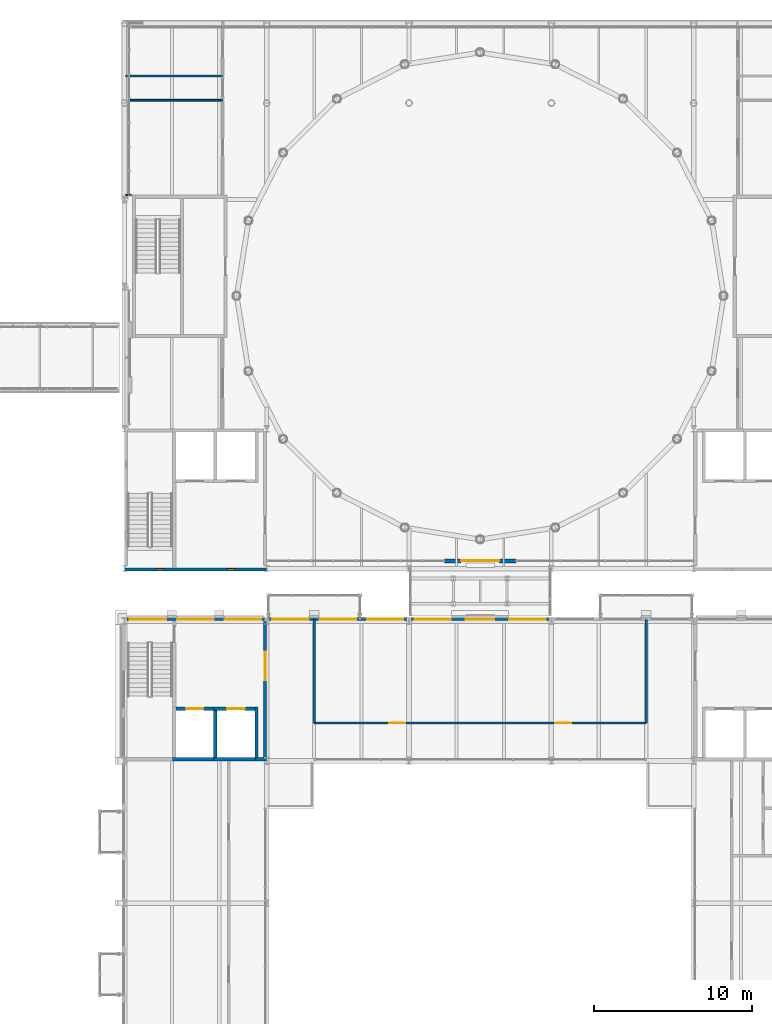
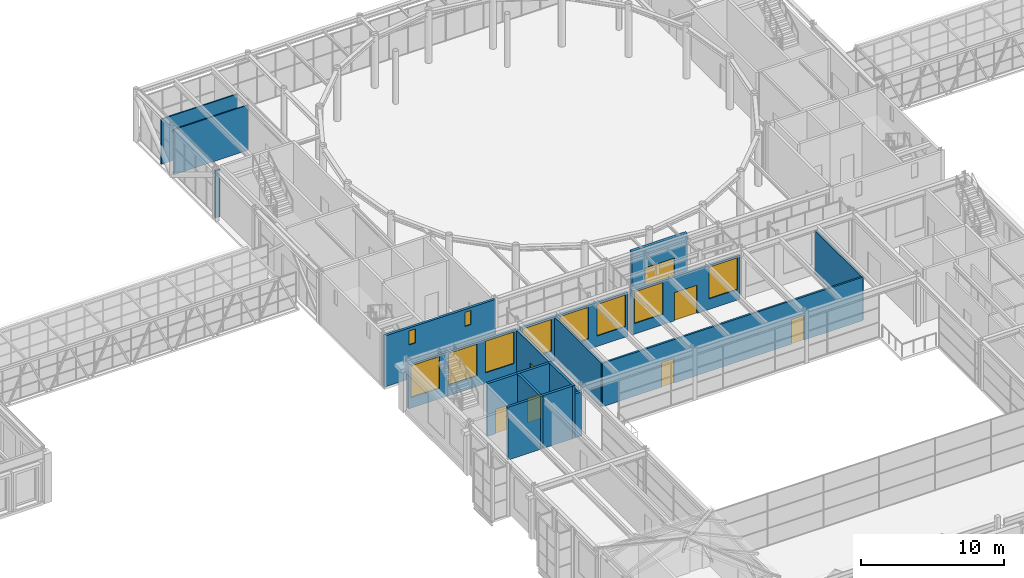
# One storey, part 96 of 149: 19 walls, 10 windows, 7 doors, 17 openings.
"""IFC4 building model written with IfcOpenShell, lengths in metres."""

from ifc_helpers import new_model, si_unit, direction, frame, frame_2d, origin, place, context, subcontext, project, spatial, rectangle, extrude, material, layer, layer_set, type_object, element, fill, save


model = new_model("IFC4")

# Units and contexts
model_context = context("Model", 3, precision=1e-05, world=origin(), true_north=direction((0.0, 1.0)))
body_context = subcontext(model_context, "Body", "Model", "MODEL_VIEW")
ifc_project = project(units=[si_unit("LENGTHUNIT", "METRE"), si_unit("AREAUNIT", "SQUARE_METRE"), si_unit("VOLUMEUNIT", "CUBIC_METRE"), si_unit("PLANEANGLEUNIT", "RADIAN"), si_unit("MASSUNIT", "GRAM", prefix="KILO")], contexts=[model_context])

# Site, building, storey
site_placement = place(None, origin())
site = spatial("IfcSite", under=ifc_project, at=site_placement, CompositionType="ELEMENT")
building_placement = place(site_placement, origin())
building = spatial("IfcBuilding", under=site, at=building_placement, Name="Kallimachos Central Library", CompositionType="ELEMENT")
storey_placement = place(building_placement, frame((0.0, 0.0, 9.89990234375)))
storey = spatial("IfcBuildingStorey", under=building, at=storey_placement, Name="L02", CompositionType="ELEMENT", Elevation=9.89990234375)

# Wall, opening, door
ifc_material_1 = material(Name="Concrete C30/37", Category="concrete")
ifc_layer_1 = layer(ifc_material_1, 0.199951171875)
ifc_layer_set_1 = layer_set([ifc_layer_1], Name="Lift shaft wall 200")
wall_type_1 = type_object("IfcWallType", Name="Lift shaft wall 200", PredefinedType="SOLIDWALL", material=ifc_layer_set_1)
wall_1_placement = place(storey_placement, frame((68.75, 78.300048828125, 0.0), z_axis=(0.0, 0.0, 1.0), x_axis=(1.0, 0.0, 0.0)))
wall_1 = element("IfcWall", 1, at=wall_1_placement, inside=storey, type_object=wall_type_1, Name="V4-WAL-L02-001", PredefinedType="SOLIDWALL", context=body_context, shape_type="SweptSolid", body=[
    extrude(rectangle(XDim=2.39990234375, YDim=0.199951171875, at=frame_2d((1.199951171875, 0.0))), origin(), (0.0, 0.0, 1.0), 4.5),
])
opening_1_placement = place(wall_1_placement, frame((0.64990234375, 0.0, 0.0)))
opening_1 = element("IfcOpeningElement", 2, at=opening_1_placement, cuts=wall_1, Name="Opening LD1100", PredefinedType="OPENING", context=body_context, shape_type="SweptSolid", body=[
    extrude(rectangle(XDim=1.10009765625, YDim=2.10009765625, at=frame_2d((0.550048828125, 1.050048828125))), frame((0.0, 0.10986328125, 0.0), z_axis=(0.0, -1.0, 0.0), x_axis=(1.0, 0.0, 0.0)), (0.0, 0.0, 1.0), 0.219970703125),
])
ifc_material_2 = material(Name="Stainless steel", Category="steel")
door_type_1 = type_object("IfcDoorType", Name="Lift landing door 1100 x 2100", OperationType="SLIDING_TO_LEFT", PredefinedType="DOOR", material=ifc_material_2)
door_1_placement = place(opening_1_placement, origin())
door_1 = element("IfcDoor", 3, at=door_1_placement, inside=storey, type_object=door_type_1, Name="LF7 landing door L02", OperationType="SLIDING_TO_LEFT", OverallHeight=2.10009765625, OverallWidth=1.10009765625, PredefinedType="DOOR", context=body_context, shape_type="SweptSolid", body=[
    extrude(rectangle(XDim=1.10009765625, YDim=2.10009765625, at=frame_2d((0.550048828125, 1.050048828125))), frame((0.0, 0.02490234375, 0.0), z_axis=(0.0, -1.0, 0.0), x_axis=(1.0, 0.0, 0.0)), (0.0, 0.0, 1.0), 0.050048828125),
])
fill(opening_1, door_1)

# Walls
wall_2_placement = place(storey_placement, frame((68.550048828125, 75.10009765625, 0.0), z_axis=(0.0, 0.0, 1.0), x_axis=(1.0, 0.0, 0.0)))
element("IfcWall", 4, at=wall_2_placement, inside=storey, type_object=wall_type_1, Name="V4-WAL-L02-002", PredefinedType="SOLIDWALL", context=body_context, shape_type="SweptSolid", body=[
    extrude(rectangle(XDim=2.599853515625, YDim=0.199951171875, at=frame_2d((1.2998046875, 0.0))), origin(), (0.0, 0.0, 1.0), 4.5),
])
wall_3_placement = place(storey_placement, frame((71.25, 75.0, 0.0), z_axis=(0.0, 0.0, 1.0), x_axis=(0.0, 1.0, 0.0)))
element("IfcWall", 5, at=wall_3_placement, inside=storey, type_object=wall_type_1, Name="V4-WAL-L02-004", PredefinedType="SOLIDWALL", context=body_context, shape_type="SweptSolid", body=[
    extrude(rectangle(XDim=3.39990234375, YDim=0.199951171875, at=frame_2d((1.699951171875, 0.0))), origin(), (0.0, 0.0, 1.0), 4.5),
])

# Wall, opening, door
wall_4_placement = place(storey_placement, frame((71.14990234375, 78.300048828125, 0.0), z_axis=(0.0, 0.0, 1.0), x_axis=(1.0, 0.0, 0.0)))
wall_4 = element("IfcWall", 6, at=wall_4_placement, inside=storey, type_object=wall_type_1, Name="V4-WAL-L02-005", PredefinedType="SOLIDWALL", context=body_context, shape_type="SweptSolid", body=[
    extrude(rectangle(XDim=2.60009765625, YDim=0.199951171875, at=frame_2d((1.300048828125, 0.0))), origin(), (0.0, 0.0, 1.0), 4.5),
])
opening_2_placement = place(wall_4_placement, frame((0.85009765625, 0.0, 0.0)))
opening_2 = element("IfcOpeningElement", 7, at=opening_2_placement, cuts=wall_4, Name="Opening LD1100", PredefinedType="OPENING", context=body_context, shape_type="SweptSolid", body=[
    extrude(rectangle(XDim=1.10009765625, YDim=2.10009765625, at=frame_2d((0.550048828125, 1.050048828125))), frame((0.0, 0.10986328125, 0.0), z_axis=(0.0, -1.0, 0.0), x_axis=(1.0, 0.0, 0.0)), (0.0, 0.0, 1.0), 0.219970703125),
])
door_2_placement = place(opening_2_placement, origin())
door_2 = element("IfcDoor", 8, at=door_2_placement, inside=storey, type_object=door_type_1, Name="LF8 landing door L02", OperationType="SLIDING_TO_LEFT", OverallHeight=2.10009765625, OverallWidth=1.10009765625, PredefinedType="DOOR", context=body_context, shape_type="SweptSolid", body=[
    extrude(rectangle(XDim=1.10009765625, YDim=2.10009765625, at=frame_2d((0.550048828125, 1.050048828125))), frame((0.0, 0.02490234375, 0.0), z_axis=(0.0, -1.0, 0.0), x_axis=(1.0, 0.0, 0.0)), (0.0, 0.0, 1.0), 0.050048828125),
])
fill(opening_2, door_2)

# Walls
wall_5_placement = place(storey_placement, frame((71.14990234375, 75.10009765625, 0.0), z_axis=(0.0, 0.0, 1.0), x_axis=(1.0, 0.0, 0.0)))
element("IfcWall", 9, at=wall_5_placement, inside=storey, type_object=wall_type_1, Name="V4-WAL-L02-006", PredefinedType="SOLIDWALL", context=body_context, shape_type="SweptSolid", body=[
    extrude(rectangle(XDim=2.60009765625, YDim=0.199951171875, at=frame_2d((1.300048828125, 0.0))), origin(), (0.0, 0.0, 1.0), 4.5),
])
wall_6_placement = place(storey_placement, frame((73.85009765625, 75.0, 0.0), z_axis=(0.0, 0.0, 1.0), x_axis=(0.0, 1.0, 0.0)))
element("IfcWall", 10, at=wall_6_placement, inside=storey, type_object=wall_type_1, Name="V4-WAL-L02-007", PredefinedType="SOLIDWALL", context=body_context, shape_type="SweptSolid", body=[
    extrude(rectangle(XDim=3.39990234375, YDim=0.199951171875, at=frame_2d((1.699951171875, 0.0))), origin(), (0.0, 0.0, 1.0), 4.5),
])

# Wall, opening, door
ifc_material_3 = material(Name="Pentelic marble cladding on blockwork", Category="masonry")
ifc_layer_2 = layer(ifc_material_3, 0.25)
ifc_layer_set_2 = layer_set([ifc_layer_2], Name="Link portal wall 250")
wall_type_2 = type_object("IfcWallType", Name="Link portal wall 250", PredefinedType="SOLIDWALL", material=ifc_layer_set_2)
wall_7_placement = place(storey_placement, frame((85.75, 87.64990234375, 0.0), z_axis=(0.0, 0.0, 1.0), x_axis=(1.0, 0.0, 0.0)))
wall_7 = element("IfcWall", 11, at=wall_7_placement, inside=storey, type_object=wall_type_2, Name="V1-WAL-L02-015", PredefinedType="SOLIDWALL", context=body_context, shape_type="SweptSolid", body=[
    extrude(rectangle(XDim=4.5, YDim=0.25, at=frame_2d((2.25, 0.0))), origin(), (0.0, 0.0, 1.0), 4.150146484375),
])
opening_3_placement = place(wall_7_placement, frame((1.050048828125, 0.0, 0.0)))
opening_3 = element("IfcOpeningElement", 12, at=opening_3_placement, cuts=wall_7, Name="Opening D55", PredefinedType="OPENING", context=body_context, shape_type="SweptSolid", body=[
    extrude(rectangle(XDim=2.39990234375, YDim=2.39990234375, at=frame_2d((1.199951171875, 1.199951171875))), frame((0.0, 0.135009765625, 0.0), z_axis=(0.0, -1.0, 0.0), x_axis=(1.0, 0.0, 0.0)), (0.0, 0.0, 1.0), 0.27001953125),
])
ifc_material_4 = material(Name="Glass and anodised aluminium", Category="aluminium")
door_type_2 = type_object("IfcDoorType", Name="Glazed double door 2400 x 2400", OperationType="DOUBLE_DOOR_SINGLE_SWING", PredefinedType="DOOR", material=ifc_material_4)
door_3_placement = place(opening_3_placement, frame((2.39990234375, 0.0, 0.0), z_axis=(0.0, 0.0, 1.0), x_axis=(-1.0, 0.0, 0.0)))
door_3 = element("IfcDoor", 13, at=door_3_placement, inside=storey, type_object=door_type_2, Name="V1-DOR-L02-005", OperationType="DOUBLE_DOOR_SINGLE_SWING", OverallHeight=2.39990234375, OverallWidth=2.39990234375, PredefinedType="DOOR", context=body_context, shape_type="SweptSolid", body=[
    extrude(rectangle(XDim=2.39990234375, YDim=2.39990234375, at=frame_2d((1.199951171875, 1.199951171875))), frame((0.0, 0.02490234375, 0.0), z_axis=(0.0, -1.0, 0.0), x_axis=(1.0, 0.0, 0.0)), (0.0, 0.0, 1.0), 0.050048828125),
])
fill(opening_3, door_3)

# Walls
ifc_material_5 = material(Name="Plasterboard on steel studs", Category="steel")
ifc_layer_3 = layer(ifc_material_5, 0.10009765625)
ifc_layer_set_3 = layer_set([ifc_layer_3], Name="Partition 100")
wall_type_3 = type_object("IfcWallType", Name="Partition 100", PredefinedType="PARTITIONING", material=ifc_layer_set_3)
wall_8_placement = place(storey_placement, frame((65.703125, 116.780517578125, 0.0), z_axis=(0.0, 0.0, 1.0), x_axis=(1.0, 0.0, 0.0)))
element("IfcWall", 14, at=wall_8_placement, inside=storey, type_object=wall_type_3, Name="Partition", PredefinedType="PARTITIONING", context=body_context, shape_type="SweptSolid", body=[
    extrude(rectangle(XDim=6.016845703125, YDim=0.10009765625, at=frame_2d((3.00830078125, 0.0))), origin(), (0.0, 0.0, 1.0), 3.85009765625),
])
wall_9_placement = place(storey_placement, frame((65.919921875, 110.77490234375, 0.0), z_axis=(0.0, 0.0, 1.0), x_axis=(-1.0, 0.0, 0.0)))
element("IfcWall", 15, at=wall_9_placement, inside=storey, type_object=wall_type_3, Name="Partition", PredefinedType="PARTITIONING", context=body_context, shape_type="SweptSolid", body=[
    extrude(rectangle(XDim=0.33984375, YDim=0.10009765625, at=frame_2d((0.169921875, 0.0))), origin(), (0.0, 0.0, 1.0), 4.0400390625),
])
wall_10_placement = place(storey_placement, frame((65.580078125, 118.313720703125, 0.0), z_axis=(0.0, 0.0, 1.0), x_axis=(1.0, 0.0, 0.0)))
element("IfcWall", 16, at=wall_10_placement, inside=storey, type_object=wall_type_3, Name="Partition", PredefinedType="PARTITIONING", context=body_context, shape_type="SweptSolid", body=[
    extrude(rectangle(XDim=6.139892578125, YDim=0.10009765625, at=frame_2d((3.06982421875, 0.0))), origin(), (0.0, 0.0, 1.0), 3.85009765625),
])
ifc_material_6 = material(Name="Gypsum board on steel studs", Category="steel")
ifc_layer_4 = layer(ifc_material_6, 0.14990234375)
ifc_layer_set_4 = layer_set([ifc_layer_4], Name="Partition wall 150")
wall_type_4 = type_object("IfcWallType", Name="Partition wall 150", PredefinedType="PARTITIONING", material=ifc_layer_set_4)
for number, where, z_axis, x_axis, name in (
    (17, (98.5, 77.39990234375, 0.0), (0.0, 0.0, 1.0), (0.0, 1.0, 0.0), "L02 partition"),
    (18, (77.5, 77.39990234375, 0.0), (0.0, 0.0, 1.0), (0.0, 1.0, 0.0), "L02 partition"),
):
    element("IfcWall", number, at=place(storey_placement, frame(where, z_axis=z_axis, x_axis=x_axis)), inside=storey, type_object=wall_type_4, Name=name, PredefinedType="PARTITIONING", context=body_context, shape_type="SweptSolid", body=[
        extrude(rectangle(XDim=6.550048828125, YDim=0.14990234375, at=frame_2d((3.27490234375, 0.0))), origin(), (0.0, 0.0, 1.0), 3.7001953125),
    ])

# Wall, openings, doors
wall_11_placement = place(storey_placement, frame((77.5, 77.39990234375, 0.0), z_axis=(0.0, 0.0, 1.0), x_axis=(1.0, 0.0, 0.0)))
wall_11 = element("IfcWall", 19, at=wall_11_placement, inside=storey, type_object=wall_type_4, Name="L02 partition", PredefinedType="PARTITIONING", context=body_context, shape_type="SweptSolid", body=[
    extrude(rectangle(XDim=21.0, YDim=0.14990234375, at=frame_2d((10.5, 0.0))), origin(), (0.0, 0.0, 1.0), 3.7001953125),
])
opening_4_placement = place(wall_11_placement, frame((4.75, 0.0, 0.0)))
opening_4 = element("IfcOpeningElement", 20, at=opening_4_placement, cuts=wall_11, Name="Opening D199", PredefinedType="OPENING", context=body_context, shape_type="SweptSolid", body=[
    extrude(rectangle(XDim=1.0, YDim=2.10009765625, at=frame_2d((0.5, 1.050048828125))), frame((0.0, 0.0849609375, 0.0), z_axis=(0.0, -1.0, 0.0), x_axis=(1.0, 0.0, 0.0)), (0.0, 0.0, 1.0), 0.169921875),
])
opening_5_placement = place(wall_11_placement, frame((15.25, 0.0, 0.0)))
opening_5 = element("IfcOpeningElement", 21, at=opening_5_placement, cuts=wall_11, Name="Opening D200", PredefinedType="OPENING", context=body_context, shape_type="SweptSolid", body=[
    extrude(rectangle(XDim=1.0, YDim=2.10009765625, at=frame_2d((0.5, 1.050048828125))), frame((0.0, 0.0849609375, 0.0), z_axis=(0.0, -1.0, 0.0), x_axis=(1.0, 0.0, 0.0)), (0.0, 0.0, 1.0), 0.169921875),
])
ifc_material_7 = material(Name="Timber", Category="wood")
door_type_3 = type_object("IfcDoorType", Name="Single leaf door 1000 x 2100, EI2 30", OperationType="NOTDEFINED", PredefinedType="DOOR", material=ifc_material_7)
door_4_placement = place(opening_4_placement, frame((1.0, 0.0, 0.0), z_axis=(0.0, 0.0, 1.0), x_axis=(-1.0, 0.0, 0.0)))
door_4 = element("IfcDoor", 22, at=door_4_placement, inside=storey, type_object=door_type_3, Name="L02 door Open Stacks Arts", OperationType="SINGLE_SWING_LEFT", OverallHeight=2.10009765625, OverallWidth=1.0, PredefinedType="DOOR", context=body_context, shape_type="SweptSolid", body=[
    extrude(rectangle(XDim=1.0, YDim=2.10009765625, at=frame_2d((0.5, 1.050048828125))), frame((0.0, 0.02490234375, 0.0), z_axis=(0.0, -1.0, 0.0), x_axis=(1.0, 0.0, 0.0)), (0.0, 0.0, 1.0), 0.050048828125),
])
fill(opening_4, door_4)
door_5_placement = place(opening_5_placement, frame((1.0, 0.0, 0.0), z_axis=(0.0, 0.0, 1.0), x_axis=(-1.0, 0.0, 0.0)))
door_5 = element("IfcDoor", 23, at=door_5_placement, inside=storey, type_object=door_type_3, Name="L02 door Open Stacks Arts", OperationType="SINGLE_SWING_LEFT", OverallHeight=2.10009765625, OverallWidth=1.0, PredefinedType="DOOR", context=body_context, shape_type="SweptSolid", body=[
    extrude(rectangle(XDim=1.0, YDim=2.10009765625, at=frame_2d((0.5, 1.050048828125))), frame((0.0, 0.02490234375, 0.0), z_axis=(0.0, -1.0, 0.0), x_axis=(1.0, 0.0, 0.0)), (0.0, 0.0, 1.0), 0.050048828125),
])
fill(opening_5, door_5)

# Wall
ifc_material_8 = material(Name="Concrete C35/45", Category="concrete")
ifc_layer_5 = layer(ifc_material_8, 0.199951171875)
ifc_layer_set_5 = layer_set([ifc_layer_5], Name="Shear core wall 200, internal")
wall_type_5 = type_object("IfcWallType", Name="Shear core wall 200, internal", PredefinedType="SHEAR", material=ifc_layer_set_5)
wall_12_placement = place(storey_placement, frame((73.75, 75.10009765625, 0.0), z_axis=(0.0, 0.0, 1.0), x_axis=(1.0, 0.0, 0.0)))
element("IfcWall", 24, at=wall_12_placement, inside=storey, type_object=wall_type_5, Name="L02 core wall V4-NW S2", PredefinedType="SHEAR", context=body_context, shape_type="SweptSolid", body=[
    extrude(rectangle(XDim=0.75, YDim=0.199951171875, at=frame_2d((0.375, 0.0))), origin(), (0.0, 0.0, 1.0), 3.75),
])

# Wall, opening, door
wall_13_placement = place(storey_placement, frame((74.39990234375, 75.199951171875, 0.0), z_axis=(0.0, 0.0, 1.0), x_axis=(0.0, 1.0, 0.0)))
wall_13 = element("IfcWall", 25, at=wall_13_placement, inside=storey, type_object=wall_type_5, Name="L02 core wall V4-NW E", PredefinedType="SHEAR", context=body_context, shape_type="SweptSolid", body=[
    extrude(rectangle(XDim=8.60009765625, YDim=0.199951171875, at=frame_2d((4.300048828125, 0.0))), origin(), (0.0, 0.0, 1.0), 3.75),
])
opening_6_placement = place(wall_13_placement, frame((4.89990234375, 0.0, 0.0)))
opening_6 = element("IfcOpeningElement", 26, at=opening_6_placement, cuts=wall_13, Name="Opening D148", PredefinedType="OPENING", context=body_context, shape_type="SweptSolid", body=[
    extrude(rectangle(XDim=1.800048828125, YDim=2.10009765625, at=frame_2d((0.89990234375, 1.050048828125))), frame((0.0, 0.10986328125, 0.0), z_axis=(0.0, -1.0, 0.0), x_axis=(1.0, 0.0, 0.0)), (0.0, 0.0, 1.0), 0.219970703125),
])
ifc_material_9 = material(Name="Timber and glass", Category="wood")
door_type_4 = type_object("IfcDoorType", Name="Double leaf door 1800 x 2100, EI2 90", OperationType="DOUBLE_DOOR_SINGLE_SWING", PredefinedType="DOOR", material=ifc_material_9)
door_6_placement = place(opening_6_placement, origin())
door_6 = element("IfcDoor", 27, at=door_6_placement, inside=storey, type_object=door_type_4, Name="L02 core door V4-NW", OperationType="DOUBLE_DOOR_SINGLE_SWING", OverallHeight=2.10009765625, OverallWidth=1.800048828125, PredefinedType="DOOR", context=body_context, shape_type="SweptSolid", body=[
    extrude(rectangle(XDim=1.800048828125, YDim=2.10009765625, at=frame_2d((0.89990234375, 1.050048828125))), frame((0.0, 0.02490234375, 0.0), z_axis=(0.0, -1.0, 0.0), x_axis=(1.0, 0.0, 0.0)), (0.0, 0.0, 1.0), 0.050048828125),
])
fill(opening_6, door_6)

# Wall, openings, windows
ifc_material_10 = material(Name="Concrete C30/37", Category="concrete")
ifc_layer_6 = layer(ifc_material_10, 0.199951171875)
ifc_layer_set_6 = layer_set([ifc_layer_6], Name="Stone-clad core wall 200")
wall_type_6 = type_object("IfcWallType", Name="Stone-clad core wall 200", PredefinedType="SOLIDWALL", material=ifc_layer_set_6)
wall_14_placement = place(storey_placement, frame((65.510986328125, 87.10009765625, 0.0), z_axis=(0.0, 0.0, 1.0), x_axis=(1.0, 0.0, 0.0)))
wall_14 = element("IfcWall", 28, at=wall_14_placement, inside=storey, type_object=wall_type_6, Name="Core wall V1-SW S", PredefinedType="SOLIDWALL", context=body_context, shape_type="SweptSolid", body=[
    extrude(rectangle(XDim=8.97802734375, YDim=0.199951171875, at=frame_2d((4.489013671875, 0.0))), origin(), (0.0, 0.0, 1.0), 4.35009765625),
])
opening_7_placement = place(wall_14_placement, frame((1.989013671875, 0.0, 2.89990234375)))
opening_7 = element("IfcOpeningElement", 29, at=opening_7_placement, cuts=wall_14, Name="Opening W102", PredefinedType="OPENING", context=body_context, shape_type="SweptSolid", body=[
    extrude(rectangle(XDim=0.5, YDim=1.199951171875, at=frame_2d((0.25, 0.60009765625))), frame((0.0, 0.10986328125, 0.0), z_axis=(0.0, -1.0, 0.0), x_axis=(1.0, 0.0, 0.0)), (0.0, 0.0, 1.0), 0.219970703125),
])
opening_8_placement = place(wall_14_placement, frame((6.489013671875, 0.0, 2.89990234375)))
opening_8 = element("IfcOpeningElement", 30, at=opening_8_placement, cuts=wall_14, Name="Opening W103", PredefinedType="OPENING", context=body_context, shape_type="SweptSolid", body=[
    extrude(rectangle(XDim=0.5, YDim=1.199951171875, at=frame_2d((0.25, 0.60009765625))), frame((0.0, 0.10986328125, 0.0), z_axis=(0.0, -1.0, 0.0), x_axis=(1.0, 0.0, 0.0)), (0.0, 0.0, 1.0), 0.219970703125),
])
ifc_material_11 = material(Name="Laminated glass in bronze-anodised aluminium frame", Category="aluminium")
window_type_1 = type_object("IfcWindowType", Name="Stair slot window 500x1200", PartitioningType="SINGLE_PANEL", PredefinedType="WINDOW", material=ifc_material_11)
window_1_placement = place(opening_7_placement, origin())
window_1 = element("IfcWindow", 31, at=window_1_placement, inside=storey, type_object=window_type_1, Name="V1-WIN-L02-003", OverallHeight=1.199951171875, OverallWidth=0.5, PartitioningType="SINGLE_PANEL", PredefinedType="WINDOW", context=body_context, shape_type="SweptSolid", body=[
    extrude(rectangle(XDim=0.5, YDim=1.199951171875, at=frame_2d((0.25, 0.60009765625))), frame((0.0, 0.030029296875, 0.0), z_axis=(0.0, -1.0, 0.0), x_axis=(1.0, 0.0, 0.0)), (0.0, 0.0, 1.0), 0.06005859375),
])
fill(opening_7, window_1)
window_2_placement = place(opening_8_placement, origin())
window_2 = element("IfcWindow", 32, at=window_2_placement, inside=storey, type_object=window_type_1, Name="V1-WIN-L02-004", OverallHeight=1.199951171875, OverallWidth=0.5, PartitioningType="SINGLE_PANEL", PredefinedType="WINDOW", context=body_context, shape_type="SweptSolid", body=[
    extrude(rectangle(XDim=0.5, YDim=1.199951171875, at=frame_2d((0.25, 0.60009765625))), frame((0.0, 0.030029296875, 0.0), z_axis=(0.0, -1.0, 0.0), x_axis=(1.0, 0.0, 0.0)), (0.0, 0.0, 1.0), 0.06005859375),
])
fill(opening_8, window_2)

ifc_material_12 = material(Name="Brick masonry with Pentelic marble cladding", Category="masonry")
ifc_layer_7 = layer(ifc_material_12, 0.199951171875)
ifc_layer_set_7 = layer_set([ifc_layer_7], Name="Stone-clad masonry wall 200")
wall_type_7 = type_object("IfcWallType", Name="Stone-clad masonry wall 200", PredefinedType="SOLIDWALL", material=ifc_layer_set_7)
wall_15_placement = place(storey_placement, frame((74.653564453125, 83.966064453125, 0.0), z_axis=(0.0, 0.0, 1.0), x_axis=(1.0, 0.0, 0.0)))
wall_15 = element("IfcWall", 33, at=wall_15_placement, inside=storey, type_object=wall_type_7, Name="V4-WAL-L02-016", PredefinedType="SOLIDWALL", context=body_context, shape_type="SweptSolid", body=[
    extrude(rectangle(XDim=8.69287109375, YDim=0.199951171875, at=frame_2d((4.346435546875, 0.0))), origin(), (0.0, 0.0, 1.0), 3.75),
])
opening_9_placement = place(wall_15_placement, frame((0.196533203125, 0.0, 0.89990234375)))
opening_9 = element("IfcOpeningElement", 34, at=opening_9_placement, cuts=wall_15, Name="Opening WN161", PredefinedType="OPENING", context=body_context, shape_type="SweptSolid", body=[
    extrude(rectangle(XDim=2.300048828125, YDim=2.699951171875, at=frame_2d((1.14990234375, 1.35009765625))), frame((0.0, 0.10986328125, 0.0), z_axis=(0.0, -1.0, 0.0), x_axis=(1.0, 0.0, 0.0)), (0.0, 0.0, 1.0), 0.219970703125),
])
opening_10_placement = place(wall_15_placement, frame((3.196533203125, 0.0, 0.89990234375)))
opening_10 = element("IfcOpeningElement", 35, at=opening_10_placement, cuts=wall_15, Name="Opening WN161", PredefinedType="OPENING", context=body_context, shape_type="SweptSolid", body=[
    extrude(rectangle(XDim=2.300048828125, YDim=2.699951171875, at=frame_2d((1.14990234375, 1.35009765625))), frame((0.0, 0.10986328125, 0.0), z_axis=(0.0, -1.0, 0.0), x_axis=(1.0, 0.0, 0.0)), (0.0, 0.0, 1.0), 0.219970703125),
])
opening_11_placement = place(wall_15_placement, frame((6.196533203125, 0.0, 0.89990234375)))
opening_11 = element("IfcOpeningElement", 36, at=opening_11_placement, cuts=wall_15, Name="Opening WN161", PredefinedType="OPENING", context=body_context, shape_type="SweptSolid", body=[
    extrude(rectangle(XDim=2.300048828125, YDim=2.699951171875, at=frame_2d((1.14990234375, 1.35009765625))), frame((0.0, 0.10986328125, 0.0), z_axis=(0.0, -1.0, 0.0), x_axis=(1.0, 0.0, 0.0)), (0.0, 0.0, 1.0), 0.219970703125),
])
ifc_material_13 = material(Name="Anodised aluminium and laminated glass", Category="aluminium")
window_type_2 = type_object("IfcWindowType", Name="Window 2300 x 2700", PartitioningType="DOUBLE_PANEL_VERTICAL", PredefinedType="WINDOW", material=ifc_material_13)
window_3_placement = place(opening_9_placement, origin())
window_3 = element("IfcWindow", 37, at=window_3_placement, inside=storey, type_object=window_type_2, Name="V4-WIN-L02-004", OverallHeight=2.699951171875, OverallWidth=2.300048828125, PartitioningType="SINGLE_PANEL", PredefinedType="WINDOW", context=body_context, shape_type="SweptSolid", body=[
    extrude(rectangle(XDim=2.300048828125, YDim=2.699951171875, at=frame_2d((1.14990234375, 1.35009765625))), frame((0.0, 0.030029296875, 0.0), z_axis=(0.0, -1.0, 0.0), x_axis=(1.0, 0.0, 0.0)), (0.0, 0.0, 1.0), 0.06005859375),
])
fill(opening_9, window_3)
window_4_placement = place(opening_10_placement, origin())
window_4 = element("IfcWindow", 38, at=window_4_placement, inside=storey, type_object=window_type_2, Name="V4-WIN-L02-005", OverallHeight=2.699951171875, OverallWidth=2.300048828125, PartitioningType="SINGLE_PANEL", PredefinedType="WINDOW", context=body_context, shape_type="SweptSolid", body=[
    extrude(rectangle(XDim=2.300048828125, YDim=2.699951171875, at=frame_2d((1.14990234375, 1.35009765625))), frame((0.0, 0.030029296875, 0.0), z_axis=(0.0, -1.0, 0.0), x_axis=(1.0, 0.0, 0.0)), (0.0, 0.0, 1.0), 0.06005859375),
])
fill(opening_10, window_4)
window_5_placement = place(opening_11_placement, origin())
window_5 = element("IfcWindow", 39, at=window_5_placement, inside=storey, type_object=window_type_2, Name="V4-WIN-L02-006", OverallHeight=2.699951171875, OverallWidth=2.300048828125, PartitioningType="SINGLE_PANEL", PredefinedType="WINDOW", context=body_context, shape_type="SweptSolid", body=[
    extrude(rectangle(XDim=2.300048828125, YDim=2.699951171875, at=frame_2d((1.14990234375, 1.35009765625))), frame((0.0, 0.030029296875, 0.0), z_axis=(0.0, -1.0, 0.0), x_axis=(1.0, 0.0, 0.0)), (0.0, 0.0, 1.0), 0.06005859375),
])
fill(opening_11, window_5)

# Wall, openings, door, windows
wall_16_placement = place(storey_placement, frame((83.653564453125, 83.966064453125, 0.0), z_axis=(0.0, 0.0, 1.0), x_axis=(1.0, 0.0, 0.0)))
wall_16 = element("IfcWall", 40, at=wall_16_placement, inside=storey, type_object=wall_type_7, Name="V4-WAL-L02-017", PredefinedType="SOLIDWALL", context=body_context, shape_type="SweptSolid", body=[
    extrude(rectangle(XDim=8.69287109375, YDim=0.199951171875, at=frame_2d((4.346435546875, 0.0))), origin(), (0.0, 0.0, 1.0), 3.75),
])
opening_12_placement = place(wall_16_placement, frame((3.446533203125, 0.0, 0.0)))
opening_12 = element("IfcOpeningElement", 41, at=opening_12_placement, cuts=wall_16, Name="Opening D34", PredefinedType="OPENING", context=body_context, shape_type="SweptSolid", body=[
    extrude(rectangle(XDim=1.800048828125, YDim=2.39990234375, at=frame_2d((0.89990234375, 1.199951171875))), frame((0.0, 0.10986328125, 0.0), z_axis=(0.0, -1.0, 0.0), x_axis=(1.0, 0.0, 0.0)), (0.0, 0.0, 1.0), 0.219970703125),
])
opening_13_placement = place(wall_16_placement, frame((0.196533203125, 0.0, 0.89990234375)))
opening_13 = element("IfcOpeningElement", 42, at=opening_13_placement, cuts=wall_16, Name="Opening WN161", PredefinedType="OPENING", context=body_context, shape_type="SweptSolid", body=[
    extrude(rectangle(XDim=2.300048828125, YDim=2.699951171875, at=frame_2d((1.14990234375, 1.35009765625))), frame((0.0, 0.10986328125, 0.0), z_axis=(0.0, -1.0, 0.0), x_axis=(1.0, 0.0, 0.0)), (0.0, 0.0, 1.0), 0.219970703125),
])
opening_14_placement = place(wall_16_placement, frame((6.196533203125, 0.0, 0.89990234375)))
opening_14 = element("IfcOpeningElement", 43, at=opening_14_placement, cuts=wall_16, Name="Opening WN161", PredefinedType="OPENING", context=body_context, shape_type="SweptSolid", body=[
    extrude(rectangle(XDim=2.300048828125, YDim=2.699951171875, at=frame_2d((1.14990234375, 1.35009765625))), frame((0.0, 0.10986328125, 0.0), z_axis=(0.0, -1.0, 0.0), x_axis=(1.0, 0.0, 0.0)), (0.0, 0.0, 1.0), 0.219970703125),
])
ifc_material_14 = material(Name="Anodised aluminium and laminated glass", Category="aluminium")
door_type_5 = type_object("IfcDoorType", Name="Link door 1800 x 2400", OperationType="DOUBLE_DOOR_SINGLE_SWING", PredefinedType="DOOR", material=ifc_material_14)
door_7_placement = place(opening_12_placement, origin())
door_7 = element("IfcDoor", 44, at=door_7_placement, inside=storey, type_object=door_type_5, Name="Link Door K2", OperationType="DOUBLE_DOOR_SINGLE_SWING", OverallHeight=2.39990234375, OverallWidth=1.800048828125, PredefinedType="DOOR", context=body_context, shape_type="SweptSolid", body=[
    extrude(rectangle(XDim=1.800048828125, YDim=2.39990234375, at=frame_2d((0.89990234375, 1.199951171875))), frame((0.0, 0.02490234375, 0.0), z_axis=(0.0, -1.0, 0.0), x_axis=(1.0, 0.0, 0.0)), (0.0, 0.0, 1.0), 0.050048828125),
])
fill(opening_12, door_7)
window_6_placement = place(opening_13_placement, origin())
window_6 = element("IfcWindow", 45, at=window_6_placement, inside=storey, type_object=window_type_2, Name="V4-WIN-L02-007", OverallHeight=2.699951171875, OverallWidth=2.300048828125, PartitioningType="SINGLE_PANEL", PredefinedType="WINDOW", context=body_context, shape_type="SweptSolid", body=[
    extrude(rectangle(XDim=2.300048828125, YDim=2.699951171875, at=frame_2d((1.14990234375, 1.35009765625))), frame((0.0, 0.030029296875, 0.0), z_axis=(0.0, -1.0, 0.0), x_axis=(1.0, 0.0, 0.0)), (0.0, 0.0, 1.0), 0.06005859375),
])
fill(opening_13, window_6)
window_7_placement = place(opening_14_placement, origin())
window_7 = element("IfcWindow", 46, at=window_7_placement, inside=storey, type_object=window_type_2, Name="V4-WIN-L02-008", OverallHeight=2.699951171875, OverallWidth=2.300048828125, PartitioningType="SINGLE_PANEL", PredefinedType="WINDOW", context=body_context, shape_type="SweptSolid", body=[
    extrude(rectangle(XDim=2.300048828125, YDim=2.699951171875, at=frame_2d((1.14990234375, 1.35009765625))), frame((0.0, 0.030029296875, 0.0), z_axis=(0.0, -1.0, 0.0), x_axis=(1.0, 0.0, 0.0)), (0.0, 0.0, 1.0), 0.06005859375),
])
fill(opening_14, window_7)

# Wall, openings, windows
ifc_material_15 = material(Name="Brick masonry with Pentelic marble cladding", Category="masonry")
ifc_layer_8 = layer(ifc_material_15, 0.199951171875)
ifc_layer_set_8 = layer_set([ifc_layer_8], Name="Stone-clad masonry wall 200, EI 120")
wall_type_8 = type_object("IfcWallType", Name="Stone-clad masonry wall 200, EI 120", PredefinedType="SOLIDWALL", material=ifc_layer_set_8)
wall_17_placement = place(storey_placement, frame((65.653564453125, 83.966064453125, 0.0), z_axis=(0.0, 0.0, 1.0), x_axis=(1.0, 0.0, 0.0)))
wall_17 = element("IfcWall", 47, at=wall_17_placement, inside=storey, type_object=wall_type_8, Name="V4-WAL-L02-015", PredefinedType="SOLIDWALL", context=body_context, shape_type="SweptSolid", body=[
    extrude(rectangle(XDim=8.69287109375, YDim=0.199951171875, at=frame_2d((4.346435546875, 0.0))), origin(), (0.0, 0.0, 1.0), 3.75),
])
opening_15_placement = place(wall_17_placement, frame((0.196533203125, 0.0, 0.89990234375)))
opening_15 = element("IfcOpeningElement", 48, at=opening_15_placement, cuts=wall_17, Name="Opening WN268", PredefinedType="OPENING", context=body_context, shape_type="SweptSolid", body=[
    extrude(rectangle(XDim=2.300048828125, YDim=2.699951171875, at=frame_2d((1.14990234375, 1.35009765625))), frame((0.0, 0.10986328125, 0.0), z_axis=(0.0, -1.0, 0.0), x_axis=(1.0, 0.0, 0.0)), (0.0, 0.0, 1.0), 0.219970703125),
])
opening_16_placement = place(wall_17_placement, frame((3.196533203125, 0.0, 0.89990234375)))
opening_16 = element("IfcOpeningElement", 49, at=opening_16_placement, cuts=wall_17, Name="Opening WN268", PredefinedType="OPENING", context=body_context, shape_type="SweptSolid", body=[
    extrude(rectangle(XDim=2.300048828125, YDim=2.699951171875, at=frame_2d((1.14990234375, 1.35009765625))), frame((0.0, 0.10986328125, 0.0), z_axis=(0.0, -1.0, 0.0), x_axis=(1.0, 0.0, 0.0)), (0.0, 0.0, 1.0), 0.219970703125),
])
opening_17_placement = place(wall_17_placement, frame((6.196533203125, 0.0, 0.89990234375)))
opening_17 = element("IfcOpeningElement", 50, at=opening_17_placement, cuts=wall_17, Name="Opening WN268", PredefinedType="OPENING", context=body_context, shape_type="SweptSolid", body=[
    extrude(rectangle(XDim=2.300048828125, YDim=2.699951171875, at=frame_2d((1.14990234375, 1.35009765625))), frame((0.0, 0.10986328125, 0.0), z_axis=(0.0, -1.0, 0.0), x_axis=(1.0, 0.0, 0.0)), (0.0, 0.0, 1.0), 0.219970703125),
])
ifc_material_16 = material(Name="Anodised aluminium and laminated glass", Category="aluminium")
window_type_3 = type_object("IfcWindowType", Name="Window 2300 x 2700, EI 120", PartitioningType="DOUBLE_PANEL_VERTICAL", PredefinedType="WINDOW", material=ifc_material_16)
window_8_placement = place(opening_15_placement, origin())
window_8 = element("IfcWindow", 51, at=window_8_placement, inside=storey, type_object=window_type_3, Name="V4-WIN-L02-001", OverallHeight=2.699951171875, OverallWidth=2.300048828125, PartitioningType="SINGLE_PANEL", PredefinedType="WINDOW", context=body_context, shape_type="SweptSolid", body=[
    extrude(rectangle(XDim=2.300048828125, YDim=2.699951171875, at=frame_2d((1.14990234375, 1.35009765625))), frame((0.0, 0.030029296875, 0.0), z_axis=(0.0, -1.0, 0.0), x_axis=(1.0, 0.0, 0.0)), (0.0, 0.0, 1.0), 0.06005859375),
])
fill(opening_15, window_8)
window_9_placement = place(opening_16_placement, origin())
window_9 = element("IfcWindow", 52, at=window_9_placement, inside=storey, type_object=window_type_3, Name="V4-WIN-L02-002", OverallHeight=2.699951171875, OverallWidth=2.300048828125, PartitioningType="SINGLE_PANEL", PredefinedType="WINDOW", context=body_context, shape_type="SweptSolid", body=[
    extrude(rectangle(XDim=2.300048828125, YDim=2.699951171875, at=frame_2d((1.14990234375, 1.35009765625))), frame((0.0, 0.030029296875, 0.0), z_axis=(0.0, -1.0, 0.0), x_axis=(1.0, 0.0, 0.0)), (0.0, 0.0, 1.0), 0.06005859375),
])
fill(opening_16, window_9)
window_10_placement = place(opening_17_placement, origin())
window_10 = element("IfcWindow", 53, at=window_10_placement, inside=storey, type_object=window_type_3, Name="V4-WIN-L02-003", OverallHeight=2.699951171875, OverallWidth=2.300048828125, PartitioningType="SINGLE_PANEL", PredefinedType="WINDOW", context=body_context, shape_type="SweptSolid", body=[
    extrude(rectangle(XDim=2.300048828125, YDim=2.699951171875, at=frame_2d((1.14990234375, 1.35009765625))), frame((0.0, 0.030029296875, 0.0), z_axis=(0.0, -1.0, 0.0), x_axis=(1.0, 0.0, 0.0)), (0.0, 0.0, 1.0), 0.06005859375),
])
fill(opening_17, window_10)

save(model, "model.ifc")
